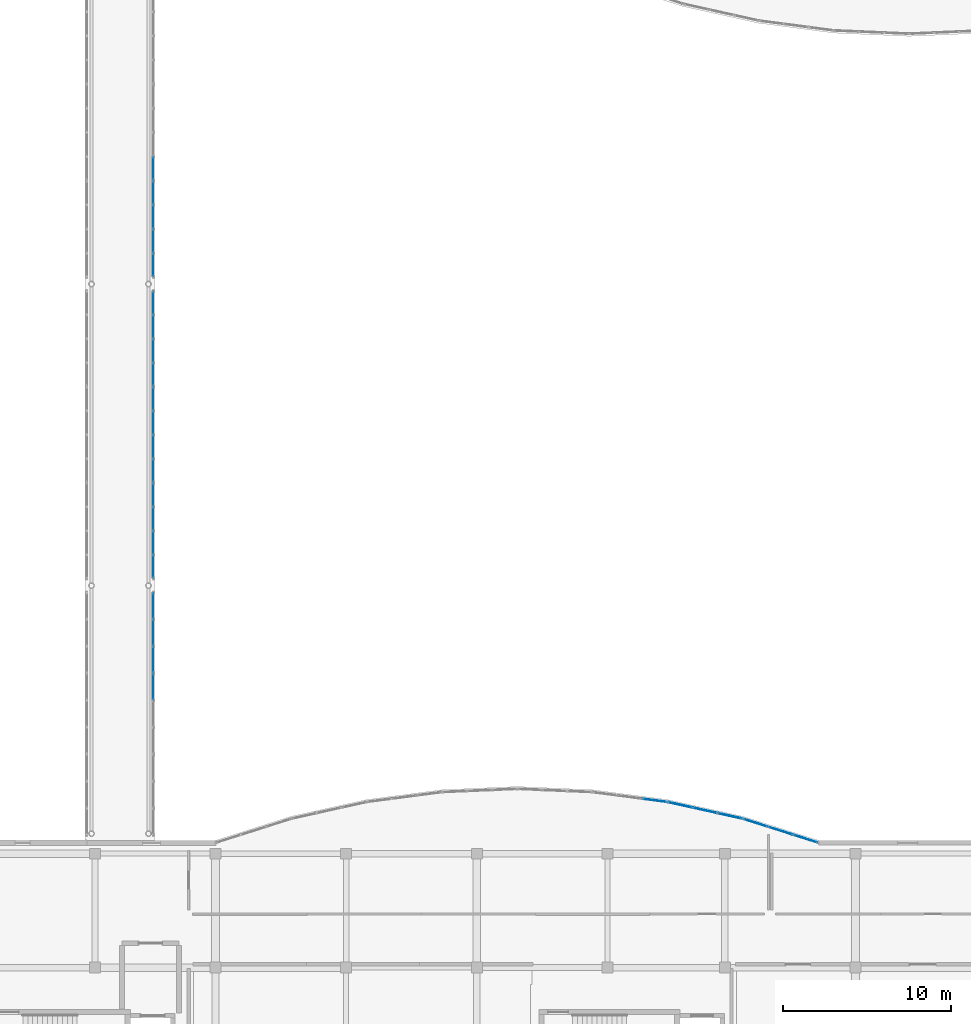
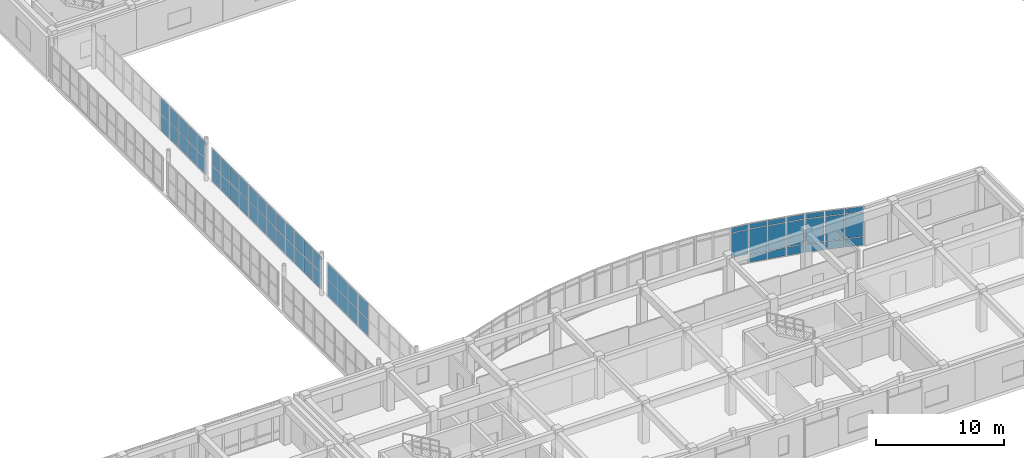
# One storey, part 115 of 146: 62 plates, 10 elements without a shape of their own.
"""IFC4 building model written with IfcOpenShell, lengths in metres."""

from ifc_helpers import new_model, si_unit, direction, frame, origin, origin_2d, place, context, subcontext, project, spatial, rectangle, extrude, material, layer, layer_set, type_object, element, aggregate, save


model = new_model("IFC4")

# Units and contexts
model_context = context("Model", 3, precision=1e-05, world=origin(), true_north=direction((0.0, 1.0)))
body_context = subcontext(model_context, "Body", "Model", "MODEL_VIEW")
ifc_project = project(units=[si_unit("LENGTHUNIT", "METRE"), si_unit("AREAUNIT", "SQUARE_METRE"), si_unit("VOLUMEUNIT", "CUBIC_METRE"), si_unit("PLANEANGLEUNIT", "RADIAN"), si_unit("MASSUNIT", "GRAM", prefix="KILO")], contexts=[model_context])

# Site, building, storey
site_placement = place(None, origin())
site = spatial("IfcSite", under=ifc_project, at=site_placement, CompositionType="ELEMENT")
building_placement = place(site_placement, origin())
building = spatial("IfcBuilding", under=site, at=building_placement, Name="Valcora Specialist Clinic", CompositionType="ELEMENT")
storey_placement = place(building_placement, frame((0.0, 0.0, 9.52001953125)))
storey = spatial("IfcBuildingStorey", under=building, at=storey_placement, Name="L02", CompositionType="ELEMENT", Elevation=9.52001953125)

# Curtain wall, plates
ifc_material_1 = material(Name="Anodized Bronze Aluminium 6063-T6", Category="aluminium")
ifc_layer_1 = layer(ifc_material_1, 0.175048828125)
ifc_layer_set_1 = layer_set([ifc_layer_1], Name="Anodized Bronze Aluminium 6063-T6")
curtain_wall_type_1 = type_object("IfcCurtainWallType", Name="TY-CW-ARC40", PredefinedType="NOTDEFINED", material=ifc_layer_set_1)
curtain_wall_1_placement = place(storey_placement, origin())
curtain_wall_1 = element("IfcCurtainWall", 1, at=curtain_wall_1_placement, inside=storey, type_object=curtain_wall_type_1, Name="Curtain wall CW-L02-208", PredefinedType="NOTDEFINED")
ifc_material_2 = material(Name="Low-E Laminated Insulating Glass", Category="glass")
ifc_layer_2 = layer(ifc_material_2, 0.028076171875)
ifc_layer_set_2 = layer_set([ifc_layer_2], Name="Low-E Laminated Insulating Glass")
plate_type_1 = type_object("IfcPlateType", Name="TY-CWP-GLZ28", PredefinedType="CURTAIN_PANEL", material=ifc_layer_set_2)
plate_1_placement = place(storey_placement, frame((96.73779296875, 24.912841796875, 0.882568359375), z_axis=(0.0, 0.0, 1.0), x_axis=(0.976278614432, -0.216518052372, 0.0)))
plate_1 = element("IfcPlate", 2, at=plate_1_placement, type_object=plate_type_1, Name="CW-ARC-40 panel 1.2", PredefinedType="CURTAIN_PANEL", context=body_context, shape_type="SweptSolid", body=[
    extrude(rectangle(XDim=1.4345703125, YDim=0.028076171875, at=origin_2d()), origin(), (0.0, 0.0, 1.0), 2.31494140625),
])
plate_2_placement = place(storey_placement, frame((96.73779296875, 24.912841796875, 3.2626953125), z_axis=(0.0, 0.0, 1.0), x_axis=(0.976278614432, -0.216518052372, 0.0)))
plate_2 = element("IfcPlate", 3, at=plate_2_placement, type_object=plate_type_1, Name="CW-ARC-40 panel 1.3", PredefinedType="CURTAIN_PANEL", context=body_context, shape_type="SweptSolid", body=[
    extrude(rectangle(XDim=1.4345703125, YDim=0.028076171875, at=origin_2d()), origin(), (0.0, 0.0, 1.0), 0.452392578125),
])
plate_3_placement = place(storey_placement, frame((98.217529296875, 24.58447265625, 0.882568359375), z_axis=(0.0, 0.0, 1.0), x_axis=(0.976278614432, -0.216518052372, 0.0)))
plate_3 = element("IfcPlate", 4, at=plate_3_placement, type_object=plate_type_1, Name="CW-ARC-40 panel 2.2", PredefinedType="CURTAIN_PANEL", context=body_context, shape_type="SweptSolid", body=[
    extrude(rectangle(XDim=1.467041015625, YDim=0.028076171875, at=origin_2d()), origin(), (0.0, 0.0, 1.0), 2.31494140625),
])
plate_4_placement = place(storey_placement, frame((98.217529296875, 24.58447265625, 3.2626953125), z_axis=(0.0, 0.0, 1.0), x_axis=(0.976278614432, -0.216518052372, 0.0)))
plate_4 = element("IfcPlate", 5, at=plate_4_placement, type_object=plate_type_1, Name="CW-ARC-40 panel 2.3", PredefinedType="CURTAIN_PANEL", context=body_context, shape_type="SweptSolid", body=[
    extrude(rectangle(XDim=1.467041015625, YDim=0.028076171875, at=origin_2d()), origin(), (0.0, 0.0, 1.0), 0.452392578125),
])
plate_5_placement = place(storey_placement, frame((99.697265625, 24.25634765625, 0.882568359375), z_axis=(0.0, 0.0, 1.0), x_axis=(0.976278614432, -0.216518052372, 0.0)))
plate_5 = element("IfcPlate", 6, at=plate_5_placement, type_object=plate_type_1, Name="CW-ARC-40 panel 3.2", PredefinedType="CURTAIN_PANEL", context=body_context, shape_type="SweptSolid", body=[
    extrude(rectangle(XDim=1.4345703125, YDim=0.028076171875, at=origin_2d()), origin(), (0.0, 0.0, 1.0), 2.31494140625),
])
plate_6_placement = place(storey_placement, frame((99.697265625, 24.25634765625, 3.2626953125), z_axis=(0.0, 0.0, 1.0), x_axis=(0.976278614432, -0.216518052372, 0.0)))
plate_6 = element("IfcPlate", 7, at=plate_6_placement, type_object=plate_type_1, Name="CW-ARC-40 panel 3.3", PredefinedType="CURTAIN_PANEL", context=body_context, shape_type="SweptSolid", body=[
    extrude(rectangle(XDim=1.4345703125, YDim=0.028076171875, at=origin_2d()), origin(), (0.0, 0.0, 1.0), 0.452392578125),
])

ifc_layer_3 = layer(ifc_material_1, 0.175048828125)
ifc_layer_set_3 = layer_set([ifc_layer_3], Name="Anodized Bronze Aluminium 6063-T6")
curtain_wall_type_2 = type_object("IfcCurtainWallType", Name="TY-CW-BRG14", PredefinedType="NOTDEFINED", material=ifc_layer_set_3)
curtain_wall_2_placement = place(storey_placement, origin())
curtain_wall_2 = element("IfcCurtainWall", 8, at=curtain_wall_2_placement, inside=storey, type_object=curtain_wall_type_2, Name="Curtain wall CW-L02-260", PredefinedType="NOTDEFINED")
plate_7_placement = place(storey_placement, frame((65.280029296875, 33.58837890625, 0.06494140625), z_axis=(0.0, 0.0, 1.0), x_axis=(0.0, 1.0, 0.0)))
plate_7 = element("IfcPlate", 9, at=plate_7_placement, type_object=plate_type_1, Name="CW-BRG-14 panel 1.1", PredefinedType="CURTAIN_PANEL", context=body_context, shape_type="SweptSolid", body=[
    extrude(rectangle(XDim=1.513671875, YDim=0.028076171875, at=origin_2d()), origin(), (0.0, 0.0, 1.0), 1.5224609375),
])
plate_8_placement = place(storey_placement, frame((65.280029296875, 33.58837890625, 1.652587890625), z_axis=(0.0, 0.0, 1.0), x_axis=(0.0, 1.0, 0.0)))
plate_8 = element("IfcPlate", 10, at=plate_8_placement, type_object=plate_type_1, Name="CW-BRG-14 panel 1.2", PredefinedType="CURTAIN_PANEL", context=body_context, shape_type="SweptSolid", body=[
    extrude(rectangle(XDim=1.513671875, YDim=0.028076171875, at=origin_2d()), origin(), (0.0, 0.0, 1.0), 1.5224609375),
])
plate_9_placement = place(storey_placement, frame((65.280029296875, 35.183349609375, 0.06494140625), z_axis=(0.0, 0.0, 1.0), x_axis=(0.0, 1.0, 0.0)))
plate_9 = element("IfcPlate", 11, at=plate_9_placement, type_object=plate_type_1, Name="CW-BRG-14 panel 2.1", PredefinedType="CURTAIN_PANEL", context=body_context, shape_type="SweptSolid", body=[
    extrude(rectangle(XDim=1.546142578125, YDim=0.028076171875, at=origin_2d()), origin(), (0.0, 0.0, 1.0), 1.5224609375),
])
plate_10_placement = place(storey_placement, frame((65.280029296875, 35.183349609375, 1.652587890625), z_axis=(0.0, 0.0, 1.0), x_axis=(0.0, 1.0, 0.0)))
plate_10 = element("IfcPlate", 12, at=plate_10_placement, type_object=plate_type_1, Name="CW-BRG-14 panel 2.2", PredefinedType="CURTAIN_PANEL", context=body_context, shape_type="SweptSolid", body=[
    extrude(rectangle(XDim=1.546142578125, YDim=0.028076171875, at=origin_2d()), origin(), (0.0, 0.0, 1.0), 1.5224609375),
])
plate_11_placement = place(storey_placement, frame((65.280029296875, 36.7783203125, 0.06494140625), z_axis=(0.0, 0.0, 1.0), x_axis=(0.0, 1.0, 0.0)))
plate_11 = element("IfcPlate", 13, at=plate_11_placement, type_object=plate_type_1, Name="CW-BRG-14 panel 3.1", PredefinedType="CURTAIN_PANEL", context=body_context, shape_type="SweptSolid", body=[
    extrude(rectangle(XDim=1.513671875, YDim=0.028076171875, at=origin_2d()), origin(), (0.0, 0.0, 1.0), 1.5224609375),
])
plate_12_placement = place(storey_placement, frame((65.280029296875, 36.7783203125, 1.652587890625), z_axis=(0.0, 0.0, 1.0), x_axis=(0.0, 1.0, 0.0)))
plate_12 = element("IfcPlate", 14, at=plate_12_placement, type_object=plate_type_1, Name="CW-BRG-14 panel 3.2", PredefinedType="CURTAIN_PANEL", context=body_context, shape_type="SweptSolid", body=[
    extrude(rectangle(XDim=1.513671875, YDim=0.028076171875, at=origin_2d()), origin(), (0.0, 0.0, 1.0), 1.5224609375),
])
aggregate(curtain_wall_2, [plate_7, plate_8, plate_9, plate_10, plate_11, plate_12])

curtain_wall_3_placement = place(storey_placement, origin())
curtain_wall_3 = element("IfcCurtainWall", 15, at=curtain_wall_3_placement, inside=storey, type_object=curtain_wall_type_2, Name="Curtain wall CW-L02-262", PredefinedType="NOTDEFINED")
plate_13_placement = place(storey_placement, frame((65.280029296875, 44.8662109375, 0.06494140625), z_axis=(0.0, 0.0, 1.0), x_axis=(0.0, 1.0, 0.0)))
plate_13 = element("IfcPlate", 16, at=plate_13_placement, type_object=plate_type_1, Name="CW-BRG-14 panel 1.1", PredefinedType="CURTAIN_PANEL", context=body_context, shape_type="SweptSolid", body=[
    extrude(rectangle(XDim=1.3359375, YDim=0.028076171875, at=origin_2d()), origin(), (0.0, 0.0, 1.0), 1.5224609375),
])
plate_14_placement = place(storey_placement, frame((65.280029296875, 44.8662109375, 1.652587890625), z_axis=(0.0, 0.0, 1.0), x_axis=(0.0, 1.0, 0.0)))
plate_14 = element("IfcPlate", 17, at=plate_14_placement, type_object=plate_type_1, Name="CW-BRG-14 panel 1.2", PredefinedType="CURTAIN_PANEL", context=body_context, shape_type="SweptSolid", body=[
    extrude(rectangle(XDim=1.3359375, YDim=0.028076171875, at=origin_2d()), origin(), (0.0, 0.0, 1.0), 1.5224609375),
])
plate_15_placement = place(storey_placement, frame((65.280029296875, 46.283203125, 0.06494140625), z_axis=(0.0, 0.0, 1.0), x_axis=(0.0, 1.0, 0.0)))
plate_15 = element("IfcPlate", 18, at=plate_15_placement, type_object=plate_type_1, Name="CW-BRG-14 panel 2.1", PredefinedType="CURTAIN_PANEL", context=body_context, shape_type="SweptSolid", body=[
    extrude(rectangle(XDim=1.368408203125, YDim=0.028076171875, at=origin_2d()), origin(), (0.0, 0.0, 1.0), 1.5224609375),
])
plate_16_placement = place(storey_placement, frame((65.280029296875, 46.283203125, 1.652587890625), z_axis=(0.0, 0.0, 1.0), x_axis=(0.0, 1.0, 0.0)))
plate_16 = element("IfcPlate", 19, at=plate_16_placement, type_object=plate_type_1, Name="CW-BRG-14 panel 2.2", PredefinedType="CURTAIN_PANEL", context=body_context, shape_type="SweptSolid", body=[
    extrude(rectangle(XDim=1.368408203125, YDim=0.028076171875, at=origin_2d()), origin(), (0.0, 0.0, 1.0), 1.5224609375),
])
plate_17_placement = place(storey_placement, frame((65.280029296875, 47.716796875, 0.06494140625), z_axis=(0.0, 0.0, 1.0), x_axis=(0.0, 1.0, 0.0)))
plate_17 = element("IfcPlate", 20, at=plate_17_placement, type_object=plate_type_1, Name="CW-BRG-14 panel 3.1", PredefinedType="CURTAIN_PANEL", context=body_context, shape_type="SweptSolid", body=[
    extrude(rectangle(XDim=1.368408203125, YDim=0.028076171875, at=origin_2d()), origin(), (0.0, 0.0, 1.0), 1.5224609375),
])
plate_18_placement = place(storey_placement, frame((65.280029296875, 47.716796875, 1.652587890625), z_axis=(0.0, 0.0, 1.0), x_axis=(0.0, 1.0, 0.0)))
plate_18 = element("IfcPlate", 21, at=plate_18_placement, type_object=plate_type_1, Name="CW-BRG-14 panel 3.2", PredefinedType="CURTAIN_PANEL", context=body_context, shape_type="SweptSolid", body=[
    extrude(rectangle(XDim=1.368408203125, YDim=0.028076171875, at=origin_2d()), origin(), (0.0, 0.0, 1.0), 1.5224609375),
])
plate_19_placement = place(storey_placement, frame((65.280029296875, 49.1337890625, 0.06494140625), z_axis=(0.0, 0.0, 1.0), x_axis=(0.0, 1.0, 0.0)))
plate_19 = element("IfcPlate", 22, at=plate_19_placement, type_object=plate_type_1, Name="CW-BRG-14 panel 4.1", PredefinedType="CURTAIN_PANEL", context=body_context, shape_type="SweptSolid", body=[
    extrude(rectangle(XDim=1.3359375, YDim=0.028076171875, at=origin_2d()), origin(), (0.0, 0.0, 1.0), 1.5224609375),
])
plate_20_placement = place(storey_placement, frame((65.280029296875, 49.1337890625, 1.652587890625), z_axis=(0.0, 0.0, 1.0), x_axis=(0.0, 1.0, 0.0)))
plate_20 = element("IfcPlate", 23, at=plate_20_placement, type_object=plate_type_1, Name="CW-BRG-14 panel 4.2", PredefinedType="CURTAIN_PANEL", context=body_context, shape_type="SweptSolid", body=[
    extrude(rectangle(XDim=1.3359375, YDim=0.028076171875, at=origin_2d()), origin(), (0.0, 0.0, 1.0), 1.5224609375),
])
aggregate(curtain_wall_3, [plate_13, plate_14, plate_15, plate_16, plate_17, plate_18, plate_19, plate_20])

curtain_wall_4_placement = place(storey_placement, origin())
curtain_wall_4 = element("IfcCurtainWall", 24, at=curtain_wall_4_placement, inside=storey, type_object=curtain_wall_type_2, Name="Curtain wall CW-L02-264", PredefinedType="NOTDEFINED")
plate_21_placement = place(storey_placement, frame((65.280029296875, 57.13720703125, 0.06494140625), z_axis=(0.0, 0.0, 1.0), x_axis=(0.0, 1.0, 0.0)))
plate_21 = element("IfcPlate", 25, at=plate_21_placement, type_object=plate_type_1, Name="CW-BRG-14 panel 1.1", PredefinedType="CURTAIN_PANEL", context=body_context, shape_type="SweptSolid", body=[
    extrude(rectangle(XDim=1.34423828125, YDim=0.028076171875, at=origin_2d()), origin(), (0.0, 0.0, 1.0), 1.5224609375),
])
plate_22_placement = place(storey_placement, frame((65.280029296875, 57.13720703125, 1.652587890625), z_axis=(0.0, 0.0, 1.0), x_axis=(0.0, 1.0, 0.0)))
plate_22 = element("IfcPlate", 26, at=plate_22_placement, type_object=plate_type_1, Name="CW-BRG-14 panel 1.2", PredefinedType="CURTAIN_PANEL", context=body_context, shape_type="SweptSolid", body=[
    extrude(rectangle(XDim=1.34423828125, YDim=0.028076171875, at=origin_2d()), origin(), (0.0, 0.0, 1.0), 1.5224609375),
])
plate_23_placement = place(storey_placement, frame((65.280029296875, 58.5625, 0.06494140625), z_axis=(0.0, 0.0, 1.0), x_axis=(0.0, 1.0, 0.0)))
plate_23 = element("IfcPlate", 27, at=plate_23_placement, type_object=plate_type_1, Name="CW-BRG-14 panel 2.1", PredefinedType="CURTAIN_PANEL", context=body_context, shape_type="SweptSolid", body=[
    extrude(rectangle(XDim=1.376708984375, YDim=0.028076171875, at=origin_2d()), origin(), (0.0, 0.0, 1.0), 1.5224609375),
])
plate_24_placement = place(storey_placement, frame((65.280029296875, 58.5625, 1.652587890625), z_axis=(0.0, 0.0, 1.0), x_axis=(0.0, 1.0, 0.0)))
plate_24 = element("IfcPlate", 28, at=plate_24_placement, type_object=plate_type_1, Name="CW-BRG-14 panel 2.2", PredefinedType="CURTAIN_PANEL", context=body_context, shape_type="SweptSolid", body=[
    extrude(rectangle(XDim=1.376708984375, YDim=0.028076171875, at=origin_2d()), origin(), (0.0, 0.0, 1.0), 1.5224609375),
])
plate_25_placement = place(storey_placement, frame((65.280029296875, 60.004150390625, 0.06494140625), z_axis=(0.0, 0.0, 1.0), x_axis=(0.0, 1.0, 0.0)))
plate_25 = element("IfcPlate", 29, at=plate_25_placement, type_object=plate_type_1, Name="CW-BRG-14 panel 3.1", PredefinedType="CURTAIN_PANEL", context=body_context, shape_type="SweptSolid", body=[
    extrude(rectangle(XDim=1.376708984375, YDim=0.028076171875, at=origin_2d()), origin(), (0.0, 0.0, 1.0), 1.5224609375),
])
plate_26_placement = place(storey_placement, frame((65.280029296875, 60.004150390625, 1.652587890625), z_axis=(0.0, 0.0, 1.0), x_axis=(0.0, 1.0, 0.0)))
plate_26 = element("IfcPlate", 30, at=plate_26_placement, type_object=plate_type_1, Name="CW-BRG-14 panel 3.2", PredefinedType="CURTAIN_PANEL", context=body_context, shape_type="SweptSolid", body=[
    extrude(rectangle(XDim=1.376708984375, YDim=0.028076171875, at=origin_2d()), origin(), (0.0, 0.0, 1.0), 1.5224609375),
])
plate_27_placement = place(storey_placement, frame((65.280029296875, 61.4296875, 0.06494140625), z_axis=(0.0, 0.0, 1.0), x_axis=(0.0, 1.0, 0.0)))
plate_27 = element("IfcPlate", 31, at=plate_27_placement, type_object=plate_type_1, Name="CW-BRG-14 panel 4.1", PredefinedType="CURTAIN_PANEL", context=body_context, shape_type="SweptSolid", body=[
    extrude(rectangle(XDim=1.34423828125, YDim=0.028076171875, at=origin_2d()), origin(), (0.0, 0.0, 1.0), 1.5224609375),
])
plate_28_placement = place(storey_placement, frame((65.280029296875, 61.4296875, 1.652587890625), z_axis=(0.0, 0.0, 1.0), x_axis=(0.0, 1.0, 0.0)))
plate_28 = element("IfcPlate", 32, at=plate_28_placement, type_object=plate_type_1, Name="CW-BRG-14 panel 4.2", PredefinedType="CURTAIN_PANEL", context=body_context, shape_type="SweptSolid", body=[
    extrude(rectangle(XDim=1.34423828125, YDim=0.028076171875, at=origin_2d()), origin(), (0.0, 0.0, 1.0), 1.5224609375),
])
aggregate(curtain_wall_4, [plate_21, plate_22, plate_23, plate_24, plate_25, plate_26, plate_27, plate_28])

curtain_wall_5_placement = place(storey_placement, origin())
curtain_wall_5 = element("IfcCurtainWall", 33, at=curtain_wall_5_placement, inside=storey, type_object=curtain_wall_type_1, Name="Curtain wall CW-L02-207", PredefinedType="NOTDEFINED")
ifc_layer_4 = layer(ifc_material_2, 0.033935546875)
ifc_layer_set_4 = layer_set([ifc_layer_4], Name="Low-E Laminated Insulating Glass")
plate_type_2 = type_object("IfcPlateType", Name="TY-CWP-GLZ34", PredefinedType="CURTAIN_PANEL", material=ifc_layer_set_4)
plate_29_placement = place(storey_placement, frame((95.2099609375, 25.182373046875, 0.882568359375), z_axis=(0.0, 0.0, 1.0), x_axis=(0.991514060421, -0.129999492259, 0.0)))
plate_29 = element("IfcPlate", 34, at=plate_29_placement, type_object=plate_type_2, Name="CW-ARC-40 panel 3.2", PredefinedType="CURTAIN_PANEL", context=body_context, shape_type="SweptSolid", body=[
    extrude(rectangle(XDim=1.410888671875, YDim=0.033935546875, at=origin_2d()), origin(), (0.0, 0.0, 1.0), 2.31494140625),
])
plate_30_placement = place(storey_placement, frame((95.2099609375, 25.182373046875, 3.2626953125), z_axis=(0.0, 0.0, 1.0), x_axis=(0.991514060421, -0.129999492259, 0.0)))
plate_30 = element("IfcPlate", 35, at=plate_30_placement, type_object=plate_type_2, Name="CW-ARC-40 panel 3.3", PredefinedType="CURTAIN_PANEL", context=body_context, shape_type="SweptSolid", body=[
    extrude(rectangle(XDim=1.410888671875, YDim=0.033935546875, at=origin_2d()), origin(), (0.0, 0.0, 1.0), 0.452392578125),
])
aggregate(curtain_wall_5, [plate_29, plate_30])

curtain_wall_6_placement = place(storey_placement, origin())
curtain_wall_6 = element("IfcCurtainWall", 36, at=curtain_wall_6_placement, inside=storey, type_object=curtain_wall_type_1, Name="Curtain wall CW-L02-209", PredefinedType="NOTDEFINED")
plate_31_placement = place(storey_placement, frame((101.22900390625, 23.842529296875, 0.882568359375), z_axis=(0.0, 0.0, 1.0), x_axis=(0.952916356972, -0.303233270958, 0.0)))
plate_31 = element("IfcPlate", 37, at=plate_31_placement, type_object=plate_type_2, Name="CW-ARC-40 panel 1.2", PredefinedType="CURTAIN_PANEL", context=body_context, shape_type="SweptSolid", body=[
    extrude(rectangle(XDim=1.482177734375, YDim=0.033935546875, at=origin_2d()), origin(), (0.0, 0.0, 1.0), 2.31494140625),
])
plate_32_placement = place(storey_placement, frame((101.22900390625, 23.842529296875, 3.2626953125), z_axis=(0.0, 0.0, 1.0), x_axis=(0.952916356972, -0.303233270958, 0.0)))
plate_32 = element("IfcPlate", 38, at=plate_32_placement, type_object=plate_type_2, Name="CW-ARC-40 panel 1.3", PredefinedType="CURTAIN_PANEL", context=body_context, shape_type="SweptSolid", body=[
    extrude(rectangle(XDim=1.482177734375, YDim=0.033935546875, at=origin_2d()), origin(), (0.0, 0.0, 1.0), 0.452392578125),
])
plate_33_placement = place(storey_placement, frame((102.71875, 23.368408203125, 0.882568359375), z_axis=(0.0, 0.0, 1.0), x_axis=(0.952916356972, -0.303233270958, 0.0)))
plate_33 = element("IfcPlate", 39, at=plate_33_placement, type_object=plate_type_2, Name="CW-ARC-40 panel 2.2", PredefinedType="CURTAIN_PANEL", context=body_context, shape_type="SweptSolid", body=[
    extrude(rectangle(XDim=1.5146484375, YDim=0.033935546875, at=origin_2d()), origin(), (0.0, 0.0, 1.0), 2.31494140625),
])
plate_34_placement = place(storey_placement, frame((102.71875, 23.368408203125, 3.2626953125), z_axis=(0.0, 0.0, 1.0), x_axis=(0.952916356972, -0.303233270958, 0.0)))
plate_34 = element("IfcPlate", 40, at=plate_34_placement, type_object=plate_type_2, Name="CW-ARC-40 panel 2.3", PredefinedType="CURTAIN_PANEL", context=body_context, shape_type="SweptSolid", body=[
    extrude(rectangle(XDim=1.5146484375, YDim=0.033935546875, at=origin_2d()), origin(), (0.0, 0.0, 1.0), 0.452392578125),
])
plate_35_placement = place(storey_placement, frame((104.20849609375, 22.89453125, 0.882568359375), z_axis=(0.0, 0.0, 1.0), x_axis=(0.952916356972, -0.303233270958, 0.0)))
plate_35 = element("IfcPlate", 41, at=plate_35_placement, type_object=plate_type_2, Name="CW-ARC-40 panel 3.2", PredefinedType="CURTAIN_PANEL", context=body_context, shape_type="SweptSolid", body=[
    extrude(rectangle(XDim=1.482177734375, YDim=0.033935546875, at=origin_2d()), origin(), (0.0, 0.0, 1.0), 2.31494140625),
])
plate_36_placement = place(storey_placement, frame((104.20849609375, 22.89453125, 3.2626953125), z_axis=(0.0, 0.0, 1.0), x_axis=(0.952916356972, -0.303233270958, 0.0)))
plate_36 = element("IfcPlate", 42, at=plate_36_placement, type_object=plate_type_2, Name="CW-ARC-40 panel 3.3", PredefinedType="CURTAIN_PANEL", context=body_context, shape_type="SweptSolid", body=[
    extrude(rectangle(XDim=1.482177734375, YDim=0.033935546875, at=origin_2d()), origin(), (0.0, 0.0, 1.0), 0.452392578125),
])

curtain_wall_7_placement = place(storey_placement, origin())
curtain_wall_7 = element("IfcCurtainWall", 43, at=curtain_wall_7_placement, inside=storey, type_object=curtain_wall_type_2, Name="Curtain wall CW-L02-259", PredefinedType="NOTDEFINED")
plate_37_placement = place(storey_placement, frame((65.280029296875, 31.94482421875, 0.06494140625), z_axis=(0.0, 0.0, 1.0), x_axis=(0.0, 1.0, 0.0)))
plate_37 = element("IfcPlate", 44, at=plate_37_placement, type_object=plate_type_2, Name="CW-BRG-14 panel 3.1", PredefinedType="CURTAIN_PANEL", context=body_context, shape_type="SweptSolid", body=[
    extrude(rectangle(XDim=1.513671875, YDim=0.033935546875, at=origin_2d()), origin(), (0.0, 0.0, 1.0), 1.5224609375),
])
plate_38_placement = place(storey_placement, frame((65.280029296875, 31.94482421875, 1.652587890625), z_axis=(0.0, 0.0, 1.0), x_axis=(0.0, 1.0, 0.0)))
plate_38 = element("IfcPlate", 45, at=plate_38_placement, type_object=plate_type_2, Name="CW-BRG-14 panel 3.2", PredefinedType="CURTAIN_PANEL", context=body_context, shape_type="SweptSolid", body=[
    extrude(rectangle(XDim=1.513671875, YDim=0.033935546875, at=origin_2d()), origin(), (0.0, 0.0, 1.0), 1.5224609375),
])
aggregate(curtain_wall_7, [plate_37, plate_38])

curtain_wall_8_placement = place(storey_placement, origin())
curtain_wall_8 = element("IfcCurtainWall", 46, at=curtain_wall_8_placement, inside=storey, type_object=curtain_wall_type_2, Name="Curtain wall CW-L02-261", PredefinedType="NOTDEFINED")
plate_39_placement = place(storey_placement, frame((65.280029296875, 39.1328125, 0.06494140625), z_axis=(0.0, 0.0, 1.0), x_axis=(0.0, 1.0, 0.0)))
plate_39 = element("IfcPlate", 47, at=plate_39_placement, type_object=plate_type_2, Name="CW-BRG-14 panel 1.1", PredefinedType="CURTAIN_PANEL", context=body_context, shape_type="SweptSolid", body=[
    extrude(rectangle(XDim=1.3359375, YDim=0.033935546875, at=origin_2d()), origin(), (0.0, 0.0, 1.0), 1.5224609375),
])
plate_40_placement = place(storey_placement, frame((65.280029296875, 39.1328125, 1.652587890625), z_axis=(0.0, 0.0, 1.0), x_axis=(0.0, 1.0, 0.0)))
plate_40 = element("IfcPlate", 48, at=plate_40_placement, type_object=plate_type_2, Name="CW-BRG-14 panel 1.2", PredefinedType="CURTAIN_PANEL", context=body_context, shape_type="SweptSolid", body=[
    extrude(rectangle(XDim=1.3359375, YDim=0.033935546875, at=origin_2d()), origin(), (0.0, 0.0, 1.0), 1.5224609375),
])
plate_41_placement = place(storey_placement, frame((65.280029296875, 40.550048828125, 0.06494140625), z_axis=(0.0, 0.0, 1.0), x_axis=(0.0, 1.0, 0.0)))
plate_41 = element("IfcPlate", 49, at=plate_41_placement, type_object=plate_type_2, Name="CW-BRG-14 panel 2.1", PredefinedType="CURTAIN_PANEL", context=body_context, shape_type="SweptSolid", body=[
    extrude(rectangle(XDim=1.368408203125, YDim=0.033935546875, at=origin_2d()), origin(), (0.0, 0.0, 1.0), 1.5224609375),
])
plate_42_placement = place(storey_placement, frame((65.280029296875, 40.550048828125, 1.652587890625), z_axis=(0.0, 0.0, 1.0), x_axis=(0.0, 1.0, 0.0)))
plate_42 = element("IfcPlate", 50, at=plate_42_placement, type_object=plate_type_2, Name="CW-BRG-14 panel 2.2", PredefinedType="CURTAIN_PANEL", context=body_context, shape_type="SweptSolid", body=[
    extrude(rectangle(XDim=1.368408203125, YDim=0.033935546875, at=origin_2d()), origin(), (0.0, 0.0, 1.0), 1.5224609375),
])
plate_43_placement = place(storey_placement, frame((65.280029296875, 41.9833984375, 0.06494140625), z_axis=(0.0, 0.0, 1.0), x_axis=(0.0, 1.0, 0.0)))
plate_43 = element("IfcPlate", 51, at=plate_43_placement, type_object=plate_type_2, Name="CW-BRG-14 panel 3.1", PredefinedType="CURTAIN_PANEL", context=body_context, shape_type="SweptSolid", body=[
    extrude(rectangle(XDim=1.368408203125, YDim=0.033935546875, at=origin_2d()), origin(), (0.0, 0.0, 1.0), 1.5224609375),
])
plate_44_placement = place(storey_placement, frame((65.280029296875, 41.9833984375, 1.652587890625), z_axis=(0.0, 0.0, 1.0), x_axis=(0.0, 1.0, 0.0)))
plate_44 = element("IfcPlate", 52, at=plate_44_placement, type_object=plate_type_2, Name="CW-BRG-14 panel 3.2", PredefinedType="CURTAIN_PANEL", context=body_context, shape_type="SweptSolid", body=[
    extrude(rectangle(XDim=1.368408203125, YDim=0.033935546875, at=origin_2d()), origin(), (0.0, 0.0, 1.0), 1.5224609375),
])
plate_45_placement = place(storey_placement, frame((65.280029296875, 43.400390625, 0.06494140625), z_axis=(0.0, 0.0, 1.0), x_axis=(0.0, 1.0, 0.0)))
plate_45 = element("IfcPlate", 53, at=plate_45_placement, type_object=plate_type_2, Name="CW-BRG-14 panel 4.1", PredefinedType="CURTAIN_PANEL", context=body_context, shape_type="SweptSolid", body=[
    extrude(rectangle(XDim=1.3359375, YDim=0.033935546875, at=origin_2d()), origin(), (0.0, 0.0, 1.0), 1.5224609375),
])
plate_46_placement = place(storey_placement, frame((65.280029296875, 43.400390625, 1.652587890625), z_axis=(0.0, 0.0, 1.0), x_axis=(0.0, 1.0, 0.0)))
plate_46 = element("IfcPlate", 54, at=plate_46_placement, type_object=plate_type_2, Name="CW-BRG-14 panel 4.2", PredefinedType="CURTAIN_PANEL", context=body_context, shape_type="SweptSolid", body=[
    extrude(rectangle(XDim=1.3359375, YDim=0.033935546875, at=origin_2d()), origin(), (0.0, 0.0, 1.0), 1.5224609375),
])
aggregate(curtain_wall_8, [plate_39, plate_40, plate_41, plate_42, plate_43, plate_44, plate_45, plate_46])

curtain_wall_9_placement = place(storey_placement, origin())
curtain_wall_9 = element("IfcCurtainWall", 55, at=curtain_wall_9_placement, inside=storey, type_object=curtain_wall_type_2, Name="Curtain wall CW-L02-263", PredefinedType="NOTDEFINED")
plate_47_placement = place(storey_placement, frame((65.280029296875, 50.599609375, 0.06494140625), z_axis=(0.0, 0.0, 1.0), x_axis=(0.0, 1.0, 0.0)))
plate_47 = element("IfcPlate", 56, at=plate_47_placement, type_object=plate_type_2, Name="CW-BRG-14 panel 1.1", PredefinedType="CURTAIN_PANEL", context=body_context, shape_type="SweptSolid", body=[
    extrude(rectangle(XDim=1.3359375, YDim=0.033935546875, at=origin_2d()), origin(), (0.0, 0.0, 1.0), 1.5224609375),
])
plate_48_placement = place(storey_placement, frame((65.280029296875, 50.599609375, 1.652587890625), z_axis=(0.0, 0.0, 1.0), x_axis=(0.0, 1.0, 0.0)))
plate_48 = element("IfcPlate", 57, at=plate_48_placement, type_object=plate_type_2, Name="CW-BRG-14 panel 1.2", PredefinedType="CURTAIN_PANEL", context=body_context, shape_type="SweptSolid", body=[
    extrude(rectangle(XDim=1.3359375, YDim=0.033935546875, at=origin_2d()), origin(), (0.0, 0.0, 1.0), 1.5224609375),
])
plate_49_placement = place(storey_placement, frame((65.280029296875, 52.0166015625, 0.06494140625), z_axis=(0.0, 0.0, 1.0), x_axis=(0.0, 1.0, 0.0)))
plate_49 = element("IfcPlate", 58, at=plate_49_placement, type_object=plate_type_2, Name="CW-BRG-14 panel 2.1", PredefinedType="CURTAIN_PANEL", context=body_context, shape_type="SweptSolid", body=[
    extrude(rectangle(XDim=1.368408203125, YDim=0.033935546875, at=origin_2d()), origin(), (0.0, 0.0, 1.0), 1.5224609375),
])
plate_50_placement = place(storey_placement, frame((65.280029296875, 52.0166015625, 1.652587890625), z_axis=(0.0, 0.0, 1.0), x_axis=(0.0, 1.0, 0.0)))
plate_50 = element("IfcPlate", 59, at=plate_50_placement, type_object=plate_type_2, Name="CW-BRG-14 panel 2.2", PredefinedType="CURTAIN_PANEL", context=body_context, shape_type="SweptSolid", body=[
    extrude(rectangle(XDim=1.368408203125, YDim=0.033935546875, at=origin_2d()), origin(), (0.0, 0.0, 1.0), 1.5224609375),
])
plate_51_placement = place(storey_placement, frame((65.280029296875, 53.449951171875, 0.06494140625), z_axis=(0.0, 0.0, 1.0), x_axis=(0.0, 1.0, 0.0)))
plate_51 = element("IfcPlate", 60, at=plate_51_placement, type_object=plate_type_2, Name="CW-BRG-14 panel 3.1", PredefinedType="CURTAIN_PANEL", context=body_context, shape_type="SweptSolid", body=[
    extrude(rectangle(XDim=1.368408203125, YDim=0.033935546875, at=origin_2d()), origin(), (0.0, 0.0, 1.0), 1.5224609375),
])
plate_52_placement = place(storey_placement, frame((65.280029296875, 53.449951171875, 1.652587890625), z_axis=(0.0, 0.0, 1.0), x_axis=(0.0, 1.0, 0.0)))
plate_52 = element("IfcPlate", 61, at=plate_52_placement, type_object=plate_type_2, Name="CW-BRG-14 panel 3.2", PredefinedType="CURTAIN_PANEL", context=body_context, shape_type="SweptSolid", body=[
    extrude(rectangle(XDim=1.368408203125, YDim=0.033935546875, at=origin_2d()), origin(), (0.0, 0.0, 1.0), 1.5224609375),
])
plate_53_placement = place(storey_placement, frame((65.280029296875, 54.8671875, 0.06494140625), z_axis=(0.0, 0.0, 1.0), x_axis=(0.0, 1.0, 0.0)))
plate_53 = element("IfcPlate", 62, at=plate_53_placement, type_object=plate_type_2, Name="CW-BRG-14 panel 4.1", PredefinedType="CURTAIN_PANEL", context=body_context, shape_type="SweptSolid", body=[
    extrude(rectangle(XDim=1.3359375, YDim=0.033935546875, at=origin_2d()), origin(), (0.0, 0.0, 1.0), 1.5224609375),
])
plate_54_placement = place(storey_placement, frame((65.280029296875, 54.8671875, 1.652587890625), z_axis=(0.0, 0.0, 1.0), x_axis=(0.0, 1.0, 0.0)))
plate_54 = element("IfcPlate", 63, at=plate_54_placement, type_object=plate_type_2, Name="CW-BRG-14 panel 4.2", PredefinedType="CURTAIN_PANEL", context=body_context, shape_type="SweptSolid", body=[
    extrude(rectangle(XDim=1.3359375, YDim=0.033935546875, at=origin_2d()), origin(), (0.0, 0.0, 1.0), 1.5224609375),
])
aggregate(curtain_wall_9, [plate_47, plate_48, plate_49, plate_50, plate_51, plate_52, plate_53, plate_54])

curtain_wall_10_placement = place(storey_placement, origin())
curtain_wall_10 = element("IfcCurtainWall", 64, at=curtain_wall_10_placement, inside=storey, type_object=curtain_wall_type_2, Name="Curtain wall CW-L02-265", PredefinedType="NOTDEFINED")
plate_55_placement = place(storey_placement, frame((65.280029296875, 62.90380859375, 0.06494140625), z_axis=(0.0, 0.0, 1.0), x_axis=(0.0, 1.0, 0.0)))
plate_55 = element("IfcPlate", 65, at=plate_55_placement, type_object=plate_type_2, Name="CW-BRG-14 panel 1.1", PredefinedType="CURTAIN_PANEL", context=body_context, shape_type="SweptSolid", body=[
    extrude(rectangle(XDim=1.34423828125, YDim=0.033935546875, at=origin_2d()), origin(), (0.0, 0.0, 1.0), 1.5224609375),
])
plate_56_placement = place(storey_placement, frame((65.280029296875, 62.90380859375, 1.652587890625), z_axis=(0.0, 0.0, 1.0), x_axis=(0.0, 1.0, 0.0)))
plate_56 = element("IfcPlate", 66, at=plate_56_placement, type_object=plate_type_2, Name="CW-BRG-14 panel 1.2", PredefinedType="CURTAIN_PANEL", context=body_context, shape_type="SweptSolid", body=[
    extrude(rectangle(XDim=1.34423828125, YDim=0.033935546875, at=origin_2d()), origin(), (0.0, 0.0, 1.0), 1.5224609375),
])
aggregate(curtain_wall_10, [plate_55, plate_56])

# Plate
ifc_material_3 = material(Name="Insulated Spandrel Panel")
ifc_layer_5 = layer(ifc_material_3, 0.044921875)
ifc_layer_set_5 = layer_set([ifc_layer_5], Name="Insulated Spandrel Panel")
plate_type_3 = type_object("IfcPlateType", Name="TY-CWP-SPN45", PredefinedType="SHEET", material=ifc_layer_set_5)
plate_57_placement = place(storey_placement, frame((96.73779296875, 24.912841796875, 0.06494140625), z_axis=(0.0, 0.0, 1.0), x_axis=(0.976278614432, -0.216518052372, 0.0)))
plate_57 = element("IfcPlate", 67, at=plate_57_placement, type_object=plate_type_3, Name="CW-ARC-40 panel 1.1", PredefinedType="SHEET", context=body_context, shape_type="SweptSolid", body=[
    extrude(rectangle(XDim=1.4345703125, YDim=0.044921875, at=origin_2d()), origin(), (0.0, 0.0, 1.0), 0.75244140625),
])

plate_58_placement = place(storey_placement, frame((98.217529296875, 24.58447265625, 0.06494140625), z_axis=(0.0, 0.0, 1.0), x_axis=(0.976278614432, -0.216518052372, 0.0)))
plate_58 = element("IfcPlate", 68, at=plate_58_placement, type_object=plate_type_3, Name="CW-ARC-40 panel 2.1", PredefinedType="SHEET", context=body_context, shape_type="SweptSolid", body=[
    extrude(rectangle(XDim=1.467041015625, YDim=0.044921875, at=origin_2d()), origin(), (0.0, 0.0, 1.0), 0.75244140625),
])

plate_59_placement = place(storey_placement, frame((99.697265625, 24.25634765625, 0.06494140625), z_axis=(0.0, 0.0, 1.0), x_axis=(0.976278614432, -0.216518052372, 0.0)))
plate_59 = element("IfcPlate", 69, at=plate_59_placement, type_object=plate_type_3, Name="CW-ARC-40 panel 3.1", PredefinedType="SHEET", context=body_context, shape_type="SweptSolid", body=[
    extrude(rectangle(XDim=1.4345703125, YDim=0.044921875, at=origin_2d()), origin(), (0.0, 0.0, 1.0), 0.75244140625),
])

aggregate(curtain_wall_1, [plate_57, plate_1, plate_2, plate_58, plate_3, plate_4, plate_59, plate_5, plate_6])

plate_60_placement = place(storey_placement, frame((101.22900390625, 23.842529296875, 0.06494140625), z_axis=(0.0, 0.0, 1.0), x_axis=(0.952916356972, -0.303233270958, 0.0)))
plate_60 = element("IfcPlate", 70, at=plate_60_placement, type_object=plate_type_3, Name="CW-ARC-40 panel 1.1", PredefinedType="SHEET", context=body_context, shape_type="SweptSolid", body=[
    extrude(rectangle(XDim=1.482177734375, YDim=0.044921875, at=origin_2d()), origin(), (0.0, 0.0, 1.0), 0.75244140625),
])

plate_61_placement = place(storey_placement, frame((102.71875, 23.368408203125, 0.06494140625), z_axis=(0.0, 0.0, 1.0), x_axis=(0.952916356972, -0.303233270958, 0.0)))
plate_61 = element("IfcPlate", 71, at=plate_61_placement, type_object=plate_type_3, Name="CW-ARC-40 panel 2.1", PredefinedType="SHEET", context=body_context, shape_type="SweptSolid", body=[
    extrude(rectangle(XDim=1.5146484375, YDim=0.044921875, at=origin_2d()), origin(), (0.0, 0.0, 1.0), 0.75244140625),
])

plate_62_placement = place(storey_placement, frame((104.20849609375, 22.89453125, 0.06494140625), z_axis=(0.0, 0.0, 1.0), x_axis=(0.952916356972, -0.303233270958, 0.0)))
plate_62 = element("IfcPlate", 72, at=plate_62_placement, type_object=plate_type_3, Name="CW-ARC-40 panel 3.1", PredefinedType="SHEET", context=body_context, shape_type="SweptSolid", body=[
    extrude(rectangle(XDim=1.482177734375, YDim=0.044921875, at=origin_2d()), origin(), (0.0, 0.0, 1.0), 0.75244140625),
])

aggregate(curtain_wall_6, [plate_60, plate_31, plate_32, plate_61, plate_33, plate_34, plate_62, plate_35, plate_36])

save(model, "model.ifc")
